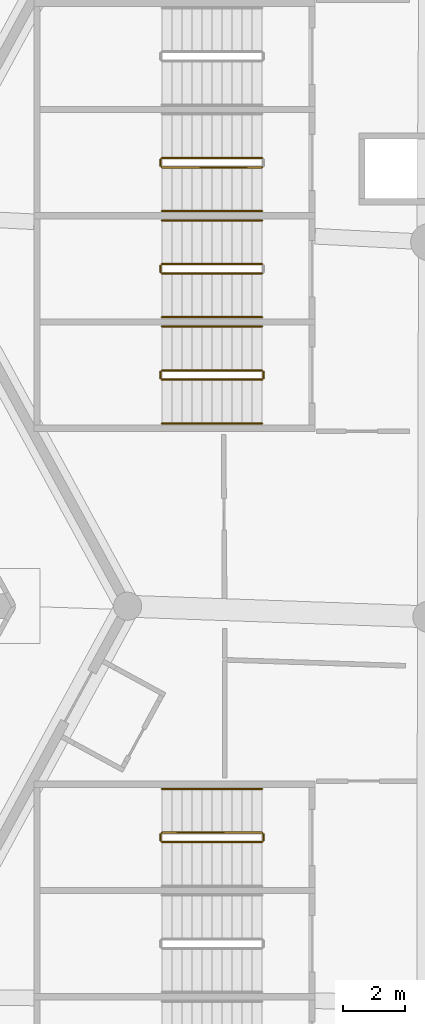
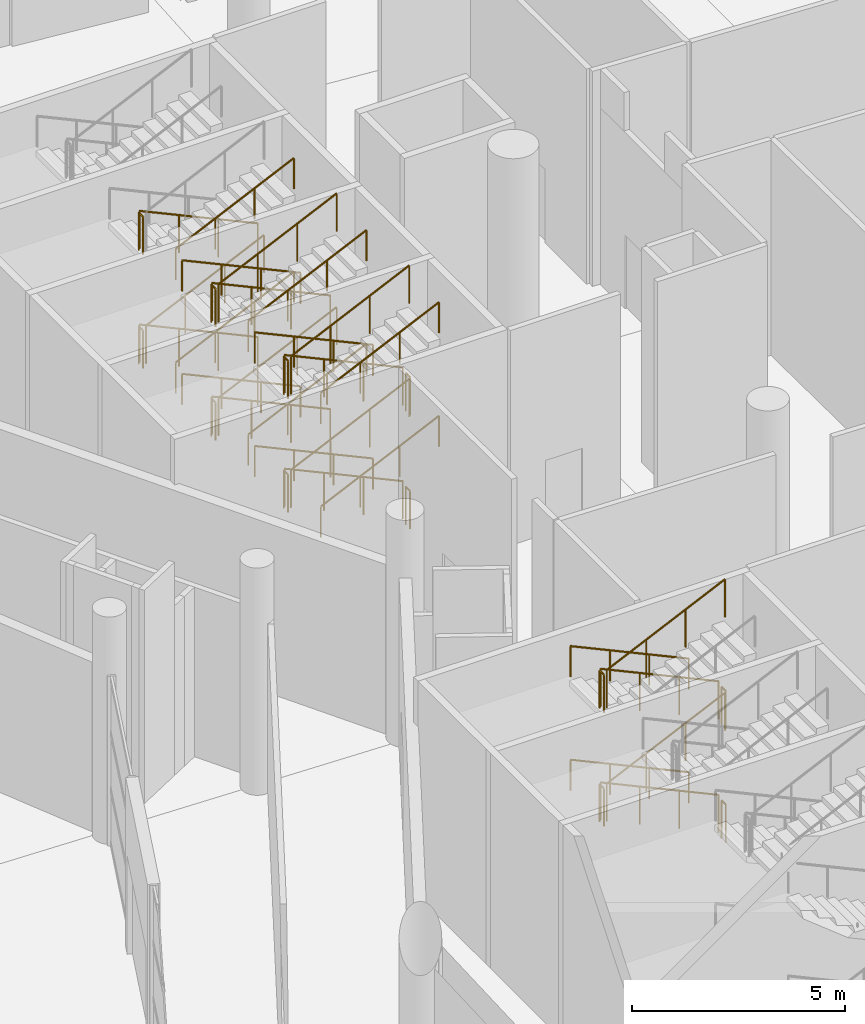
# One storey, part 223 of 255: 39 railings.
"""IFC4 building model written with IfcOpenShell, lengths in metres."""

from ifc_helpers import new_model, si_unit, direction, frame, origin, origin_2d, place, context, subcontext, project, spatial, circle, extrude, material, type_object, element, save


model = new_model("IFC4")

# Units and contexts
model_context = context("Model", 3, precision=1e-05, world=origin(), true_north=direction((0.0, 1.0)))
body_context = subcontext(model_context, "Body", "Model", "MODEL_VIEW")
ifc_project = project(units=[si_unit("LENGTHUNIT", "METRE"), si_unit("AREAUNIT", "SQUARE_METRE"), si_unit("VOLUMEUNIT", "CUBIC_METRE"), si_unit("PLANEANGLEUNIT", "RADIAN"), si_unit("MASSUNIT", "GRAM", prefix="KILO")], contexts=[model_context])

# Site, building, storey
site_placement = place(None, origin())
site = spatial("IfcSite", under=ifc_project, at=site_placement, CompositionType="ELEMENT")
building_placement = place(site_placement, origin())
building = spatial("IfcBuilding", under=site, at=building_placement, Name="Meseta Stadium", CompositionType="ELEMENT")
storey_placement = place(building_placement, origin())
storey = spatial("IfcBuildingStorey", under=building, at=storey_placement, Name="L00", CompositionType="ELEMENT", Elevation=0.0)

# Railings
ifc_material_1 = material(Name="Steel S355", Category="steel")
railing_type_1 = type_object("IfcRailingType", Name="Stair guard 1100", PredefinedType="GUARDRAIL", material=ifc_material_1)
railing_1_placement = place(storey_placement, frame((-90.300048828125, 33.10009765625, 0.147705078125)))
element("IfcRailing", 1, at=railing_1_placement, inside=storey, type_object=railing_type_1, Name="ST62 L00 guard 1", PredefinedType="GUARDRAIL", context=body_context, shape_type="SweptSolid", body=[
    extrude(circle(Radius=0.02392578125, at=origin_2d()), frame((0.0, 0.0, 1.076171875), z_axis=(-0.907916804346, 0.0, 0.419150422148), x_axis=(0.0, -1.0, 0.0)), (0.0, 0.0, 1.0), 3.5244140625),
    extrude(circle(Radius=0.02099609375, at=origin_2d()), origin(), (0.0, 0.0, 1.0), 1.052001953125),
    extrude(circle(Radius=0.02099609375, at=origin_2d()), frame((-1.066650390625, 0.0, 0.492431640625)), (0.0, 0.0, 1.0), 1.052001953125),
    extrude(circle(Radius=0.02099609375, at=origin_2d()), frame((-2.13330078125, 0.0, 0.98486328125)), (0.0, 0.0, 1.0), 1.052001953125),
    extrude(circle(Radius=0.02099609375, at=origin_2d()), frame((-3.199951171875, 0.0, 1.477294921875)), (0.0, 0.0, 1.0), 1.052001953125),
])
railing_2_placement = place(storey_placement, frame((-93.550048828125, 33.050048828125, 1.625)))
element("IfcRailing", 2, at=railing_2_placement, inside=storey, type_object=railing_type_1, Name="ST62 L00 guard 2", PredefinedType="GUARDRAIL", context=body_context, shape_type="SweptSolid", body=[
    extrude(circle(Radius=0.02392578125, at=origin_2d()), frame((0.0, 0.0, 1.076171875), z_axis=(0.0, -1.0, 0.0), x_axis=(1.0, 0.0, 0.0)), (0.0, 0.0, 1.0), 0.199951171875),
    extrude(circle(Radius=0.02099609375, at=origin_2d()), origin(), (0.0, 0.0, 1.0), 1.052001953125),
    extrude(circle(Radius=0.02099609375, at=origin_2d()), frame((0.0, -0.199951171875, 0.0)), (0.0, 0.0, 1.0), 1.052001953125),
])
railing_3_placement = place(storey_placement, frame((-93.5, 32.800048828125, 1.772705078125)))
element("IfcRailing", 3, at=railing_3_placement, inside=storey, type_object=railing_type_1, Name="ST62 L00 guard 3", PredefinedType="GUARDRAIL", context=body_context, shape_type="SweptSolid", body=[
    extrude(circle(Radius=0.02392578125, at=origin_2d()), frame((0.0, 0.0, 1.076171875), z_axis=(0.907916804346, 0.0, 0.419150422148), x_axis=(0.0, 1.0, 0.0)), (0.0, 0.0, 1.0), 3.5244140625),
    extrude(circle(Radius=0.02099609375, at=origin_2d()), origin(), (0.0, 0.0, 1.0), 1.052001953125),
    extrude(circle(Radius=0.02099609375, at=origin_2d()), frame((1.066650390625, 0.0, 0.492431640625)), (0.0, 0.0, 1.0), 1.052001953125),
    extrude(circle(Radius=0.02099609375, at=origin_2d()), frame((2.13330078125, 0.0, 0.98486328125)), (0.0, 0.0, 1.0), 1.052001953125),
    extrude(circle(Radius=0.02099609375, at=origin_2d()), frame((3.199951171875, 0.0, 1.477294921875)), (0.0, 0.0, 1.0), 1.052001953125),
])
railing_4_placement = place(storey_placement, frame((-90.300048828125, 33.10009765625, 3.397705078125)))
element("IfcRailing", 4, at=railing_4_placement, inside=storey, type_object=railing_type_1, Name="ST62 L00 guard 5", PredefinedType="GUARDRAIL", context=body_context, shape_type="SweptSolid", body=[
    extrude(circle(Radius=0.02392578125, at=origin_2d()), frame((0.0, 0.0, 1.076171875), z_axis=(-0.907916804346, 0.0, 0.419150422148), x_axis=(0.0, -1.0, 0.0)), (0.0, 0.0, 1.0), 3.5244140625),
    extrude(circle(Radius=0.02099609375, at=origin_2d()), origin(), (0.0, 0.0, 1.0), 1.052001953125),
    extrude(circle(Radius=0.02099609375, at=origin_2d()), frame((-1.066650390625, 0.0, 0.492431640625)), (0.0, 0.0, 1.0), 1.052001953125),
    extrude(circle(Radius=0.02099609375, at=origin_2d()), frame((-2.13330078125, 0.0, 0.98486328125)), (0.0, 0.0, 1.0), 1.052001953125),
    extrude(circle(Radius=0.02099609375, at=origin_2d()), frame((-3.199951171875, 0.0, 1.477294921875)), (0.0, 0.0, 1.0), 1.052001953125),
])
railing_5_placement = place(storey_placement, frame((-93.550048828125, 33.050048828125, 4.875)))
element("IfcRailing", 5, at=railing_5_placement, inside=storey, type_object=railing_type_1, Name="ST62 L00 guard 6", PredefinedType="GUARDRAIL", context=body_context, shape_type="SweptSolid", body=[
    extrude(circle(Radius=0.02392578125, at=origin_2d()), frame((0.0, 0.0, 1.076171875), z_axis=(0.0, -1.0, 0.0), x_axis=(1.0, 0.0, 0.0)), (0.0, 0.0, 1.0), 0.199951171875),
    extrude(circle(Radius=0.02099609375, at=origin_2d()), origin(), (0.0, 0.0, 1.0), 1.052001953125),
    extrude(circle(Radius=0.02099609375, at=origin_2d()), frame((0.0, -0.199951171875, 0.0)), (0.0, 0.0, 1.0), 1.052001953125),
])
railing_6_placement = place(storey_placement, frame((-90.300048828125, 29.699951171875, 0.147705078125)))
element("IfcRailing", 6, at=railing_6_placement, inside=storey, type_object=railing_type_1, Name="ST63 L00 guard 1", PredefinedType="GUARDRAIL", context=body_context, shape_type="SweptSolid", body=[
    extrude(circle(Radius=0.02392578125, at=origin_2d()), frame((0.0, 0.0, 1.076171875), z_axis=(-0.907916804346, 0.0, 0.419150422148), x_axis=(0.0, -1.0, 0.0)), (0.0, 0.0, 1.0), 3.5244140625),
    extrude(circle(Radius=0.02099609375, at=origin_2d()), origin(), (0.0, 0.0, 1.0), 1.052001953125),
    extrude(circle(Radius=0.02099609375, at=origin_2d()), frame((-1.066650390625, 0.0, 0.492431640625)), (0.0, 0.0, 1.0), 1.052001953125),
    extrude(circle(Radius=0.02099609375, at=origin_2d()), frame((-2.13330078125, 0.0, 0.98486328125)), (0.0, 0.0, 1.0), 1.052001953125),
    extrude(circle(Radius=0.02099609375, at=origin_2d()), frame((-3.199951171875, 0.0, 1.477294921875)), (0.0, 0.0, 1.0), 1.052001953125),
])
railing_7_placement = place(storey_placement, frame((-93.550048828125, 29.64990234375, 1.625)))
element("IfcRailing", 7, at=railing_7_placement, inside=storey, type_object=railing_type_1, Name="ST63 L00 guard 2", PredefinedType="GUARDRAIL", context=body_context, shape_type="SweptSolid", body=[
    extrude(circle(Radius=0.02392578125, at=origin_2d()), frame((0.0, 0.0, 1.076171875), z_axis=(0.0, -1.0, 0.0), x_axis=(1.0, 0.0, 0.0)), (0.0, 0.0, 1.0), 0.199951171875),
    extrude(circle(Radius=0.02099609375, at=origin_2d()), origin(), (0.0, 0.0, 1.0), 1.052001953125),
    extrude(circle(Radius=0.02099609375, at=origin_2d()), frame((0.0, -0.199951171875, 0.0)), (0.0, 0.0, 1.0), 1.052001953125),
])
railing_8_placement = place(storey_placement, frame((-93.5, 29.39990234375, 1.772705078125)))
element("IfcRailing", 8, at=railing_8_placement, inside=storey, type_object=railing_type_1, Name="ST63 L00 guard 3", PredefinedType="GUARDRAIL", context=body_context, shape_type="SweptSolid", body=[
    extrude(circle(Radius=0.02392578125, at=origin_2d()), frame((0.0, 0.0, 1.076171875), z_axis=(0.907916804346, 0.0, 0.419150422148), x_axis=(0.0, 1.0, 0.0)), (0.0, 0.0, 1.0), 3.5244140625),
    extrude(circle(Radius=0.02099609375, at=origin_2d()), origin(), (0.0, 0.0, 1.0), 1.052001953125),
    extrude(circle(Radius=0.02099609375, at=origin_2d()), frame((1.066650390625, 0.0, 0.492431640625)), (0.0, 0.0, 1.0), 1.052001953125),
    extrude(circle(Radius=0.02099609375, at=origin_2d()), frame((2.13330078125, 0.0, 0.98486328125)), (0.0, 0.0, 1.0), 1.052001953125),
    extrude(circle(Radius=0.02099609375, at=origin_2d()), frame((3.199951171875, 0.0, 1.477294921875)), (0.0, 0.0, 1.0), 1.052001953125),
])
railing_9_placement = place(storey_placement, frame((-90.300048828125, 29.699951171875, 3.397705078125)))
element("IfcRailing", 9, at=railing_9_placement, inside=storey, type_object=railing_type_1, Name="ST63 L00 guard 5", PredefinedType="GUARDRAIL", context=body_context, shape_type="SweptSolid", body=[
    extrude(circle(Radius=0.02392578125, at=origin_2d()), frame((0.0, 0.0, 1.076171875), z_axis=(-0.907916804346, 0.0, 0.419150422148), x_axis=(0.0, -1.0, 0.0)), (0.0, 0.0, 1.0), 3.5244140625),
    extrude(circle(Radius=0.02099609375, at=origin_2d()), origin(), (0.0, 0.0, 1.0), 1.052001953125),
    extrude(circle(Radius=0.02099609375, at=origin_2d()), frame((-1.066650390625, 0.0, 0.492431640625)), (0.0, 0.0, 1.0), 1.052001953125),
    extrude(circle(Radius=0.02099609375, at=origin_2d()), frame((-2.13330078125, 0.0, 0.98486328125)), (0.0, 0.0, 1.0), 1.052001953125),
    extrude(circle(Radius=0.02099609375, at=origin_2d()), frame((-3.199951171875, 0.0, 1.477294921875)), (0.0, 0.0, 1.0), 1.052001953125),
])
railing_10_placement = place(storey_placement, frame((-93.550048828125, 29.64990234375, 4.875)))
element("IfcRailing", 10, at=railing_10_placement, inside=storey, type_object=railing_type_1, Name="ST63 L00 guard 6", PredefinedType="GUARDRAIL", context=body_context, shape_type="SweptSolid", body=[
    extrude(circle(Radius=0.02392578125, at=origin_2d()), frame((0.0, 0.0, 1.076171875), z_axis=(0.0, -1.0, 0.0), x_axis=(1.0, 0.0, 0.0)), (0.0, 0.0, 1.0), 0.199951171875),
    extrude(circle(Radius=0.02099609375, at=origin_2d()), origin(), (0.0, 0.0, 1.0), 1.052001953125),
    extrude(circle(Radius=0.02099609375, at=origin_2d()), frame((0.0, -0.199951171875, 0.0)), (0.0, 0.0, 1.0), 1.052001953125),
])
railing_11_placement = place(storey_placement, frame((-93.5, 29.39990234375, 5.022705078125)))
element("IfcRailing", 11, at=railing_11_placement, inside=storey, type_object=railing_type_1, Name="ST63 L00 guard 7", PredefinedType="GUARDRAIL", context=body_context, shape_type="SweptSolid", body=[
    extrude(circle(Radius=0.02392578125, at=origin_2d()), frame((0.0, 0.0, 1.076171875), z_axis=(0.907916804346, 0.0, 0.419150422148), x_axis=(0.0, 1.0, 0.0)), (0.0, 0.0, 1.0), 3.5244140625),
    extrude(circle(Radius=0.02099609375, at=origin_2d()), origin(), (0.0, 0.0, 1.0), 1.052001953125),
    extrude(circle(Radius=0.02099609375, at=origin_2d()), frame((1.066650390625, 0.0, 0.492431640625)), (0.0, 0.0, 1.0), 1.052001953125),
    extrude(circle(Radius=0.02099609375, at=origin_2d()), frame((2.13330078125, 0.0, 0.98486328125)), (0.0, 0.0, 1.0), 1.052001953125),
    extrude(circle(Radius=0.02099609375, at=origin_2d()), frame((3.199951171875, 0.0, 1.477294921875)), (0.0, 0.0, 1.0), 1.052001953125),
])
railing_12_placement = place(storey_placement, frame((-90.300048828125, 26.300048828125, 0.147705078125)))
element("IfcRailing", 12, at=railing_12_placement, inside=storey, type_object=railing_type_1, Name="ST64 L00 guard 1", PredefinedType="GUARDRAIL", context=body_context, shape_type="SweptSolid", body=[
    extrude(circle(Radius=0.02392578125, at=origin_2d()), frame((0.0, 0.0, 1.076171875), z_axis=(-0.907916804346, 0.0, 0.419150422148), x_axis=(0.0, -1.0, 0.0)), (0.0, 0.0, 1.0), 3.5244140625),
    extrude(circle(Radius=0.02099609375, at=origin_2d()), origin(), (0.0, 0.0, 1.0), 1.052001953125),
    extrude(circle(Radius=0.02099609375, at=origin_2d()), frame((-1.066650390625, 0.0, 0.492431640625)), (0.0, 0.0, 1.0), 1.052001953125),
    extrude(circle(Radius=0.02099609375, at=origin_2d()), frame((-2.13330078125, 0.0, 0.98486328125)), (0.0, 0.0, 1.0), 1.052001953125),
    extrude(circle(Radius=0.02099609375, at=origin_2d()), frame((-3.199951171875, 0.0, 1.477294921875)), (0.0, 0.0, 1.0), 1.052001953125),
])
railing_13_placement = place(storey_placement, frame((-93.550048828125, 26.25, 1.625)))
element("IfcRailing", 13, at=railing_13_placement, inside=storey, type_object=railing_type_1, Name="ST64 L00 guard 2", PredefinedType="GUARDRAIL", context=body_context, shape_type="SweptSolid", body=[
    extrude(circle(Radius=0.02392578125, at=origin_2d()), frame((0.0, 0.0, 1.076171875), z_axis=(0.0, -1.0, 0.0), x_axis=(1.0, 0.0, 0.0)), (0.0, 0.0, 1.0), 0.199951171875),
    extrude(circle(Radius=0.02099609375, at=origin_2d()), origin(), (0.0, 0.0, 1.0), 1.052001953125),
    extrude(circle(Radius=0.02099609375, at=origin_2d()), frame((0.0, -0.199951171875, 0.0)), (0.0, 0.0, 1.0), 1.052001953125),
])
railing_14_placement = place(storey_placement, frame((-93.5, 26.0, 1.772705078125)))
element("IfcRailing", 14, at=railing_14_placement, inside=storey, type_object=railing_type_1, Name="ST64 L00 guard 3", PredefinedType="GUARDRAIL", context=body_context, shape_type="SweptSolid", body=[
    extrude(circle(Radius=0.02392578125, at=origin_2d()), frame((0.0, 0.0, 1.076171875), z_axis=(0.907916804346, 0.0, 0.419150422148), x_axis=(0.0, 1.0, 0.0)), (0.0, 0.0, 1.0), 3.5244140625),
    extrude(circle(Radius=0.02099609375, at=origin_2d()), origin(), (0.0, 0.0, 1.0), 1.052001953125),
    extrude(circle(Radius=0.02099609375, at=origin_2d()), frame((1.066650390625, 0.0, 0.492431640625)), (0.0, 0.0, 1.0), 1.052001953125),
    extrude(circle(Radius=0.02099609375, at=origin_2d()), frame((2.13330078125, 0.0, 0.98486328125)), (0.0, 0.0, 1.0), 1.052001953125),
    extrude(circle(Radius=0.02099609375, at=origin_2d()), frame((3.199951171875, 0.0, 1.477294921875)), (0.0, 0.0, 1.0), 1.052001953125),
])
railing_15_placement = place(storey_placement, frame((-90.25, 26.25, 3.25)))
element("IfcRailing", 15, at=railing_15_placement, inside=storey, type_object=railing_type_1, Name="ST64 L00 guard 4", PredefinedType="GUARDRAIL", context=body_context, shape_type="SweptSolid", body=[
    extrude(circle(Radius=0.02392578125, at=origin_2d()), frame((0.0, 0.0, 1.076171875), z_axis=(0.0, -1.0, 0.0), x_axis=(1.0, 0.0, 0.0)), (0.0, 0.0, 1.0), 0.199951171875),
    extrude(circle(Radius=0.02099609375, at=origin_2d()), origin(), (0.0, 0.0, 1.0), 1.052001953125),
    extrude(circle(Radius=0.02099609375, at=origin_2d()), frame((0.0, -0.199951171875, 0.0)), (0.0, 0.0, 1.0), 1.052001953125),
])
railing_16_placement = place(storey_placement, frame((-90.300048828125, 26.300048828125, 3.397705078125)))
element("IfcRailing", 16, at=railing_16_placement, inside=storey, type_object=railing_type_1, Name="ST64 L00 guard 5", PredefinedType="GUARDRAIL", context=body_context, shape_type="SweptSolid", body=[
    extrude(circle(Radius=0.02392578125, at=origin_2d()), frame((0.0, 0.0, 1.076171875), z_axis=(-0.907916804346, 0.0, 0.419150422148), x_axis=(0.0, -1.0, 0.0)), (0.0, 0.0, 1.0), 3.5244140625),
    extrude(circle(Radius=0.02099609375, at=origin_2d()), origin(), (0.0, 0.0, 1.0), 1.052001953125),
    extrude(circle(Radius=0.02099609375, at=origin_2d()), frame((-1.066650390625, 0.0, 0.492431640625)), (0.0, 0.0, 1.0), 1.052001953125),
    extrude(circle(Radius=0.02099609375, at=origin_2d()), frame((-2.13330078125, 0.0, 0.98486328125)), (0.0, 0.0, 1.0), 1.052001953125),
    extrude(circle(Radius=0.02099609375, at=origin_2d()), frame((-3.199951171875, 0.0, 1.477294921875)), (0.0, 0.0, 1.0), 1.052001953125),
])
railing_17_placement = place(storey_placement, frame((-93.550048828125, 26.25, 4.875)))
element("IfcRailing", 17, at=railing_17_placement, inside=storey, type_object=railing_type_1, Name="ST64 L00 guard 6", PredefinedType="GUARDRAIL", context=body_context, shape_type="SweptSolid", body=[
    extrude(circle(Radius=0.02392578125, at=origin_2d()), frame((0.0, 0.0, 1.076171875), z_axis=(0.0, -1.0, 0.0), x_axis=(1.0, 0.0, 0.0)), (0.0, 0.0, 1.0), 0.199951171875),
    extrude(circle(Radius=0.02099609375, at=origin_2d()), origin(), (0.0, 0.0, 1.0), 1.052001953125),
    extrude(circle(Radius=0.02099609375, at=origin_2d()), frame((0.0, -0.199951171875, 0.0)), (0.0, 0.0, 1.0), 1.052001953125),
])
railing_18_placement = place(storey_placement, frame((-93.5, 26.0, 5.022705078125)))
element("IfcRailing", 18, at=railing_18_placement, inside=storey, type_object=railing_type_1, Name="ST64 L00 guard 7", PredefinedType="GUARDRAIL", context=body_context, shape_type="SweptSolid", body=[
    extrude(circle(Radius=0.02392578125, at=origin_2d()), frame((0.0, 0.0, 1.076171875), z_axis=(0.907916804346, 0.0, 0.419150422148), x_axis=(0.0, 1.0, 0.0)), (0.0, 0.0, 1.0), 3.5244140625),
    extrude(circle(Radius=0.02099609375, at=origin_2d()), origin(), (0.0, 0.0, 1.0), 1.052001953125),
    extrude(circle(Radius=0.02099609375, at=origin_2d()), frame((1.066650390625, 0.0, 0.492431640625)), (0.0, 0.0, 1.0), 1.052001953125),
    extrude(circle(Radius=0.02099609375, at=origin_2d()), frame((2.13330078125, 0.0, 0.98486328125)), (0.0, 0.0, 1.0), 1.052001953125),
    extrude(circle(Radius=0.02099609375, at=origin_2d()), frame((3.199951171875, 0.0, 1.477294921875)), (0.0, 0.0, 1.0), 1.052001953125),
])
railing_19_placement = place(storey_placement, frame((-90.25, 26.25, 0.0)))
element("IfcRailing", 19, at=railing_19_placement, inside=storey, type_object=railing_type_1, Name="ST64 L00 guard 8", PredefinedType="GUARDRAIL", context=body_context, shape_type="SweptSolid", body=[
    extrude(circle(Radius=0.02392578125, at=origin_2d()), frame((0.0, 0.0, 1.076171875), z_axis=(0.0, -1.0, 0.0), x_axis=(1.0, 0.0, 0.0)), (0.0, 0.0, 1.0), 0.199951171875),
    extrude(circle(Radius=0.02099609375, at=origin_2d()), origin(), (0.0, 0.0, 1.0), 1.052001953125),
    extrude(circle(Radius=0.02099609375, at=origin_2d()), frame((0.0, -0.199951171875, 0.0)), (0.0, 0.0, 1.0), 1.052001953125),
])
railing_20_placement = place(storey_placement, frame((-90.300048828125, 11.5, 0.147705078125)))
element("IfcRailing", 20, at=railing_20_placement, inside=storey, type_object=railing_type_1, Name="ST65 L00 guard 1", PredefinedType="GUARDRAIL", context=body_context, shape_type="SweptSolid", body=[
    extrude(circle(Radius=0.02392578125, at=origin_2d()), frame((0.0, 0.0, 1.076171875), z_axis=(-0.907916804346, 0.0, 0.419150422148), x_axis=(0.0, -1.0, 0.0)), (0.0, 0.0, 1.0), 3.5244140625),
    extrude(circle(Radius=0.02099609375, at=origin_2d()), origin(), (0.0, 0.0, 1.0), 1.052001953125),
    extrude(circle(Radius=0.02099609375, at=origin_2d()), frame((-1.066650390625, 0.0, 0.492431640625)), (0.0, 0.0, 1.0), 1.052001953125),
    extrude(circle(Radius=0.02099609375, at=origin_2d()), frame((-2.13330078125, 0.0, 0.98486328125)), (0.0, 0.0, 1.0), 1.052001953125),
    extrude(circle(Radius=0.02099609375, at=origin_2d()), frame((-3.199951171875, 0.0, 1.477294921875)), (0.0, 0.0, 1.0), 1.052001953125),
])
railing_21_placement = place(storey_placement, frame((-93.550048828125, 11.449951171875, 1.625)))
element("IfcRailing", 21, at=railing_21_placement, inside=storey, type_object=railing_type_1, Name="ST65 L00 guard 2", PredefinedType="GUARDRAIL", context=body_context, shape_type="SweptSolid", body=[
    extrude(circle(Radius=0.02392578125, at=origin_2d()), frame((0.0, 0.0, 1.076171875), z_axis=(0.0, -1.0, 0.0), x_axis=(1.0, 0.0, 0.0)), (0.0, 0.0, 1.0), 0.199951171875),
    extrude(circle(Radius=0.02099609375, at=origin_2d()), origin(), (0.0, 0.0, 1.0), 1.052001953125),
    extrude(circle(Radius=0.02099609375, at=origin_2d()), frame((0.0, -0.199951171875, 0.0)), (0.0, 0.0, 1.0), 1.052001953125),
])
railing_22_placement = place(storey_placement, frame((-93.5, 11.199951171875, 1.772705078125)))
element("IfcRailing", 22, at=railing_22_placement, inside=storey, type_object=railing_type_1, Name="ST65 L00 guard 3", PredefinedType="GUARDRAIL", context=body_context, shape_type="SweptSolid", body=[
    extrude(circle(Radius=0.02392578125, at=origin_2d()), frame((0.0, 0.0, 1.076171875), z_axis=(0.907916804346, 0.0, 0.419150422148), x_axis=(0.0, 1.0, 0.0)), (0.0, 0.0, 1.0), 3.5244140625),
    extrude(circle(Radius=0.02099609375, at=origin_2d()), origin(), (0.0, 0.0, 1.0), 1.052001953125),
    extrude(circle(Radius=0.02099609375, at=origin_2d()), frame((1.066650390625, 0.0, 0.492431640625)), (0.0, 0.0, 1.0), 1.052001953125),
    extrude(circle(Radius=0.02099609375, at=origin_2d()), frame((2.13330078125, 0.0, 0.98486328125)), (0.0, 0.0, 1.0), 1.052001953125),
    extrude(circle(Radius=0.02099609375, at=origin_2d()), frame((3.199951171875, 0.0, 1.477294921875)), (0.0, 0.0, 1.0), 1.052001953125),
])
railing_23_placement = place(storey_placement, frame((-90.25, 11.449951171875, 3.25)))
element("IfcRailing", 23, at=railing_23_placement, inside=storey, type_object=railing_type_1, Name="ST65 L00 guard 4", PredefinedType="GUARDRAIL", context=body_context, shape_type="SweptSolid", body=[
    extrude(circle(Radius=0.02392578125, at=origin_2d()), frame((0.0, 0.0, 1.076171875), z_axis=(0.0, -1.0, 0.0), x_axis=(1.0, 0.0, 0.0)), (0.0, 0.0, 1.0), 0.199951171875),
    extrude(circle(Radius=0.02099609375, at=origin_2d()), origin(), (0.0, 0.0, 1.0), 1.052001953125),
    extrude(circle(Radius=0.02099609375, at=origin_2d()), frame((0.0, -0.199951171875, 0.0)), (0.0, 0.0, 1.0), 1.052001953125),
])
railing_24_placement = place(storey_placement, frame((-90.300048828125, 11.5, 3.397705078125)))
element("IfcRailing", 24, at=railing_24_placement, inside=storey, type_object=railing_type_1, Name="ST65 L00 guard 5", PredefinedType="GUARDRAIL", context=body_context, shape_type="SweptSolid", body=[
    extrude(circle(Radius=0.02392578125, at=origin_2d()), frame((0.0, 0.0, 1.076171875), z_axis=(-0.907916804346, 0.0, 0.419150422148), x_axis=(0.0, -1.0, 0.0)), (0.0, 0.0, 1.0), 3.5244140625),
    extrude(circle(Radius=0.02099609375, at=origin_2d()), origin(), (0.0, 0.0, 1.0), 1.052001953125),
    extrude(circle(Radius=0.02099609375, at=origin_2d()), frame((-1.066650390625, 0.0, 0.492431640625)), (0.0, 0.0, 1.0), 1.052001953125),
    extrude(circle(Radius=0.02099609375, at=origin_2d()), frame((-2.13330078125, 0.0, 0.98486328125)), (0.0, 0.0, 1.0), 1.052001953125),
    extrude(circle(Radius=0.02099609375, at=origin_2d()), frame((-3.199951171875, 0.0, 1.477294921875)), (0.0, 0.0, 1.0), 1.052001953125),
])
railing_25_placement = place(storey_placement, frame((-93.550048828125, 11.449951171875, 4.875)))
element("IfcRailing", 25, at=railing_25_placement, inside=storey, type_object=railing_type_1, Name="ST65 L00 guard 6", PredefinedType="GUARDRAIL", context=body_context, shape_type="SweptSolid", body=[
    extrude(circle(Radius=0.02392578125, at=origin_2d()), frame((0.0, 0.0, 1.076171875), z_axis=(0.0, -1.0, 0.0), x_axis=(1.0, 0.0, 0.0)), (0.0, 0.0, 1.0), 0.199951171875),
    extrude(circle(Radius=0.02099609375, at=origin_2d()), origin(), (0.0, 0.0, 1.0), 1.052001953125),
    extrude(circle(Radius=0.02099609375, at=origin_2d()), frame((0.0, -0.199951171875, 0.0)), (0.0, 0.0, 1.0), 1.052001953125),
])
railing_26_placement = place(storey_placement, frame((-93.5, 11.199951171875, 5.022705078125)))
element("IfcRailing", 26, at=railing_26_placement, inside=storey, type_object=railing_type_1, Name="ST65 L00 guard 7", PredefinedType="GUARDRAIL", context=body_context, shape_type="SweptSolid", body=[
    extrude(circle(Radius=0.02392578125, at=origin_2d()), frame((0.0, 0.0, 1.076171875), z_axis=(0.907916804346, 0.0, 0.419150422148), x_axis=(0.0, 1.0, 0.0)), (0.0, 0.0, 1.0), 3.5244140625),
    extrude(circle(Radius=0.02099609375, at=origin_2d()), origin(), (0.0, 0.0, 1.0), 1.052001953125),
    extrude(circle(Radius=0.02099609375, at=origin_2d()), frame((1.066650390625, 0.0, 0.492431640625)), (0.0, 0.0, 1.0), 1.052001953125),
    extrude(circle(Radius=0.02099609375, at=origin_2d()), frame((2.13330078125, 0.0, 0.98486328125)), (0.0, 0.0, 1.0), 1.052001953125),
    extrude(circle(Radius=0.02099609375, at=origin_2d()), frame((3.199951171875, 0.0, 1.477294921875)), (0.0, 0.0, 1.0), 1.052001953125),
])
railing_27_placement = place(storey_placement, frame((-90.25, 11.449951171875, 0.0)))
element("IfcRailing", 27, at=railing_27_placement, inside=storey, type_object=railing_type_1, Name="ST65 L00 guard 8", PredefinedType="GUARDRAIL", context=body_context, shape_type="SweptSolid", body=[
    extrude(circle(Radius=0.02392578125, at=origin_2d()), frame((0.0, 0.0, 1.076171875), z_axis=(0.0, -1.0, 0.0), x_axis=(1.0, 0.0, 0.0)), (0.0, 0.0, 1.0), 0.199951171875),
    extrude(circle(Radius=0.02099609375, at=origin_2d()), origin(), (0.0, 0.0, 1.0), 1.052001953125),
    extrude(circle(Radius=0.02099609375, at=origin_2d()), frame((0.0, -0.199951171875, 0.0)), (0.0, 0.0, 1.0), 1.052001953125),
])
ifc_material_2 = material(Name="Steel S355", Category="steel")
railing_type_2 = type_object("IfcRailingType", Name="Stair handrail 900", PredefinedType="HANDRAIL", material=ifc_material_2)
for number, where, name in (
    (28, (-93.5, 31.39990234375, 1.772705078125), "ST62 L00 handrail 2"),
    (29, (-93.5, 31.39990234375, 5.022705078125), "ST62 L00 handrail 4"),
):
    element("IfcRailing", number, at=place(storey_placement, frame(where)), inside=storey, type_object=railing_type_2, Name=name, PredefinedType="HANDRAIL", context=body_context, shape_type="SweptSolid", body=[
        extrude(circle(Radius=0.02392578125, at=origin_2d()), frame((0.0, 0.0, 0.8759765625), z_axis=(0.907916804346, 0.0, 0.419150422148), x_axis=(0.0, 1.0, 0.0)), (0.0, 0.0, 1.0), 3.5244140625),
        extrude(circle(Radius=0.02099609375, at=origin_2d()), origin(), (0.0, 0.0, 1.0), 0.851806640625),
        extrude(circle(Radius=0.02099609375, at=origin_2d()), frame((1.066650390625, 0.0, 0.492431640625)), (0.0, 0.0, 1.0), 0.851806640625),
        extrude(circle(Radius=0.02099609375, at=origin_2d()), frame((2.13330078125, 0.0, 0.98486328125)), (0.0, 0.0, 1.0), 0.851806640625),
        extrude(circle(Radius=0.02099609375, at=origin_2d()), frame((3.199951171875, 0.0, 1.477294921875)), (0.0, 0.0, 1.0), 0.851806640625),
    ])
railing_28_placement = place(storey_placement, frame((-90.300048828125, 31.10009765625, 0.147705078125)))
element("IfcRailing", 30, at=railing_28_placement, inside=storey, type_object=railing_type_2, Name="ST63 L00 handrail 1", PredefinedType="HANDRAIL", context=body_context, shape_type="SweptSolid", body=[
    extrude(circle(Radius=0.02392578125, at=origin_2d()), frame((0.0, 0.0, 0.8759765625), z_axis=(-0.907916804346, 0.0, 0.419150422148), x_axis=(0.0, -1.0, 0.0)), (0.0, 0.0, 1.0), 3.5244140625),
    extrude(circle(Radius=0.02099609375, at=origin_2d()), origin(), (0.0, 0.0, 1.0), 0.851806640625),
    extrude(circle(Radius=0.02099609375, at=origin_2d()), frame((-1.066650390625, 0.0, 0.492431640625)), (0.0, 0.0, 1.0), 0.851806640625),
    extrude(circle(Radius=0.02099609375, at=origin_2d()), frame((-2.13330078125, 0.0, 0.98486328125)), (0.0, 0.0, 1.0), 0.851806640625),
    extrude(circle(Radius=0.02099609375, at=origin_2d()), frame((-3.199951171875, 0.0, 1.477294921875)), (0.0, 0.0, 1.0), 0.851806640625),
])
railing_29_placement = place(storey_placement, frame((-93.5, 28.0, 1.772705078125)))
element("IfcRailing", 31, at=railing_29_placement, inside=storey, type_object=railing_type_2, Name="ST63 L00 handrail 2", PredefinedType="HANDRAIL", context=body_context, shape_type="SweptSolid", body=[
    extrude(circle(Radius=0.02392578125, at=origin_2d()), frame((0.0, 0.0, 0.8759765625), z_axis=(0.907916804346, 0.0, 0.419150422148), x_axis=(0.0, 1.0, 0.0)), (0.0, 0.0, 1.0), 3.5244140625),
    extrude(circle(Radius=0.02099609375, at=origin_2d()), origin(), (0.0, 0.0, 1.0), 0.851806640625),
    extrude(circle(Radius=0.02099609375, at=origin_2d()), frame((1.066650390625, 0.0, 0.492431640625)), (0.0, 0.0, 1.0), 0.851806640625),
    extrude(circle(Radius=0.02099609375, at=origin_2d()), frame((2.13330078125, 0.0, 0.98486328125)), (0.0, 0.0, 1.0), 0.851806640625),
    extrude(circle(Radius=0.02099609375, at=origin_2d()), frame((3.199951171875, 0.0, 1.477294921875)), (0.0, 0.0, 1.0), 0.851806640625),
])
railing_30_placement = place(storey_placement, frame((-90.300048828125, 31.10009765625, 3.397705078125)))
element("IfcRailing", 32, at=railing_30_placement, inside=storey, type_object=railing_type_2, Name="ST63 L00 handrail 3", PredefinedType="HANDRAIL", context=body_context, shape_type="SweptSolid", body=[
    extrude(circle(Radius=0.02392578125, at=origin_2d()), frame((0.0, 0.0, 0.8759765625), z_axis=(-0.907916804346, 0.0, 0.419150422148), x_axis=(0.0, -1.0, 0.0)), (0.0, 0.0, 1.0), 3.5244140625),
    extrude(circle(Radius=0.02099609375, at=origin_2d()), origin(), (0.0, 0.0, 1.0), 0.851806640625),
    extrude(circle(Radius=0.02099609375, at=origin_2d()), frame((-1.066650390625, 0.0, 0.492431640625)), (0.0, 0.0, 1.0), 0.851806640625),
    extrude(circle(Radius=0.02099609375, at=origin_2d()), frame((-2.13330078125, 0.0, 0.98486328125)), (0.0, 0.0, 1.0), 0.851806640625),
    extrude(circle(Radius=0.02099609375, at=origin_2d()), frame((-3.199951171875, 0.0, 1.477294921875)), (0.0, 0.0, 1.0), 0.851806640625),
])
railing_31_placement = place(storey_placement, frame((-93.5, 28.0, 5.022705078125)))
element("IfcRailing", 33, at=railing_31_placement, inside=storey, type_object=railing_type_2, Name="ST63 L00 handrail 4", PredefinedType="HANDRAIL", context=body_context, shape_type="SweptSolid", body=[
    extrude(circle(Radius=0.02392578125, at=origin_2d()), frame((0.0, 0.0, 0.8759765625), z_axis=(0.907916804346, 0.0, 0.419150422148), x_axis=(0.0, 1.0, 0.0)), (0.0, 0.0, 1.0), 3.5244140625),
    extrude(circle(Radius=0.02099609375, at=origin_2d()), origin(), (0.0, 0.0, 1.0), 0.851806640625),
    extrude(circle(Radius=0.02099609375, at=origin_2d()), frame((1.066650390625, 0.0, 0.492431640625)), (0.0, 0.0, 1.0), 0.851806640625),
    extrude(circle(Radius=0.02099609375, at=origin_2d()), frame((2.13330078125, 0.0, 0.98486328125)), (0.0, 0.0, 1.0), 0.851806640625),
    extrude(circle(Radius=0.02099609375, at=origin_2d()), frame((3.199951171875, 0.0, 1.477294921875)), (0.0, 0.0, 1.0), 0.851806640625),
])
railing_32_placement = place(storey_placement, frame((-90.300048828125, 27.699951171875, 0.147705078125)))
element("IfcRailing", 34, at=railing_32_placement, inside=storey, type_object=railing_type_2, Name="ST64 L00 handrail 1", PredefinedType="HANDRAIL", context=body_context, shape_type="SweptSolid", body=[
    extrude(circle(Radius=0.02392578125, at=origin_2d()), frame((0.0, 0.0, 0.8759765625), z_axis=(-0.907916804346, 0.0, 0.419150422148), x_axis=(0.0, -1.0, 0.0)), (0.0, 0.0, 1.0), 3.5244140625),
    extrude(circle(Radius=0.02099609375, at=origin_2d()), origin(), (0.0, 0.0, 1.0), 0.851806640625),
    extrude(circle(Radius=0.02099609375, at=origin_2d()), frame((-1.066650390625, 0.0, 0.492431640625)), (0.0, 0.0, 1.0), 0.851806640625),
    extrude(circle(Radius=0.02099609375, at=origin_2d()), frame((-2.13330078125, 0.0, 0.98486328125)), (0.0, 0.0, 1.0), 0.851806640625),
    extrude(circle(Radius=0.02099609375, at=origin_2d()), frame((-3.199951171875, 0.0, 1.477294921875)), (0.0, 0.0, 1.0), 0.851806640625),
])
railing_33_placement = place(storey_placement, frame((-93.5, 24.60009765625, 1.772705078125)))
element("IfcRailing", 35, at=railing_33_placement, inside=storey, type_object=railing_type_2, Name="ST64 L00 handrail 2", PredefinedType="HANDRAIL", context=body_context, shape_type="SweptSolid", body=[
    extrude(circle(Radius=0.02392578125, at=origin_2d()), frame((0.0, 0.0, 0.8759765625), z_axis=(0.907916804346, 0.0, 0.419150422148), x_axis=(0.0, 1.0, 0.0)), (0.0, 0.0, 1.0), 3.5244140625),
    extrude(circle(Radius=0.02099609375, at=origin_2d()), origin(), (0.0, 0.0, 1.0), 0.851806640625),
    extrude(circle(Radius=0.02099609375, at=origin_2d()), frame((1.066650390625, 0.0, 0.492431640625)), (0.0, 0.0, 1.0), 0.851806640625),
    extrude(circle(Radius=0.02099609375, at=origin_2d()), frame((2.13330078125, 0.0, 0.98486328125)), (0.0, 0.0, 1.0), 0.851806640625),
    extrude(circle(Radius=0.02099609375, at=origin_2d()), frame((3.199951171875, 0.0, 1.477294921875)), (0.0, 0.0, 1.0), 0.851806640625),
])
railing_34_placement = place(storey_placement, frame((-90.300048828125, 27.699951171875, 3.397705078125)))
element("IfcRailing", 36, at=railing_34_placement, inside=storey, type_object=railing_type_2, Name="ST64 L00 handrail 3", PredefinedType="HANDRAIL", context=body_context, shape_type="SweptSolid", body=[
    extrude(circle(Radius=0.02392578125, at=origin_2d()), frame((0.0, 0.0, 0.8759765625), z_axis=(-0.907916804346, 0.0, 0.419150422148), x_axis=(0.0, -1.0, 0.0)), (0.0, 0.0, 1.0), 3.5244140625),
    extrude(circle(Radius=0.02099609375, at=origin_2d()), origin(), (0.0, 0.0, 1.0), 0.851806640625),
    extrude(circle(Radius=0.02099609375, at=origin_2d()), frame((-1.066650390625, 0.0, 0.492431640625)), (0.0, 0.0, 1.0), 0.851806640625),
    extrude(circle(Radius=0.02099609375, at=origin_2d()), frame((-2.13330078125, 0.0, 0.98486328125)), (0.0, 0.0, 1.0), 0.851806640625),
    extrude(circle(Radius=0.02099609375, at=origin_2d()), frame((-3.199951171875, 0.0, 1.477294921875)), (0.0, 0.0, 1.0), 0.851806640625),
])
railing_35_placement = place(storey_placement, frame((-93.5, 24.60009765625, 5.022705078125)))
element("IfcRailing", 37, at=railing_35_placement, inside=storey, type_object=railing_type_2, Name="ST64 L00 handrail 4", PredefinedType="HANDRAIL", context=body_context, shape_type="SweptSolid", body=[
    extrude(circle(Radius=0.02392578125, at=origin_2d()), frame((0.0, 0.0, 0.8759765625), z_axis=(0.907916804346, 0.0, 0.419150422148), x_axis=(0.0, 1.0, 0.0)), (0.0, 0.0, 1.0), 3.5244140625),
    extrude(circle(Radius=0.02099609375, at=origin_2d()), origin(), (0.0, 0.0, 1.0), 0.851806640625),
    extrude(circle(Radius=0.02099609375, at=origin_2d()), frame((1.066650390625, 0.0, 0.492431640625)), (0.0, 0.0, 1.0), 0.851806640625),
    extrude(circle(Radius=0.02099609375, at=origin_2d()), frame((2.13330078125, 0.0, 0.98486328125)), (0.0, 0.0, 1.0), 0.851806640625),
    extrude(circle(Radius=0.02099609375, at=origin_2d()), frame((3.199951171875, 0.0, 1.477294921875)), (0.0, 0.0, 1.0), 0.851806640625),
])
for number, where, name in (
    (38, (-90.300048828125, 12.89990234375, 0.147705078125), "ST65 L00 handrail 1"),
    (39, (-90.300048828125, 12.89990234375, 3.397705078125), "ST65 L00 handrail 3"),
):
    element("IfcRailing", number, at=place(storey_placement, frame(where)), inside=storey, type_object=railing_type_2, Name=name, PredefinedType="HANDRAIL", context=body_context, shape_type="SweptSolid", body=[
        extrude(circle(Radius=0.02392578125, at=origin_2d()), frame((0.0, 0.0, 0.8759765625), z_axis=(-0.907916804346, 0.0, 0.419150422148), x_axis=(0.0, -1.0, 0.0)), (0.0, 0.0, 1.0), 3.5244140625),
        extrude(circle(Radius=0.02099609375, at=origin_2d()), origin(), (0.0, 0.0, 1.0), 0.851806640625),
        extrude(circle(Radius=0.02099609375, at=origin_2d()), frame((-1.066650390625, 0.0, 0.492431640625)), (0.0, 0.0, 1.0), 0.851806640625),
        extrude(circle(Radius=0.02099609375, at=origin_2d()), frame((-2.13330078125, 0.0, 0.98486328125)), (0.0, 0.0, 1.0), 0.851806640625),
        extrude(circle(Radius=0.02099609375, at=origin_2d()), frame((-3.199951171875, 0.0, 1.477294921875)), (0.0, 0.0, 1.0), 0.851806640625),
    ])

save(model, "model.ifc")
